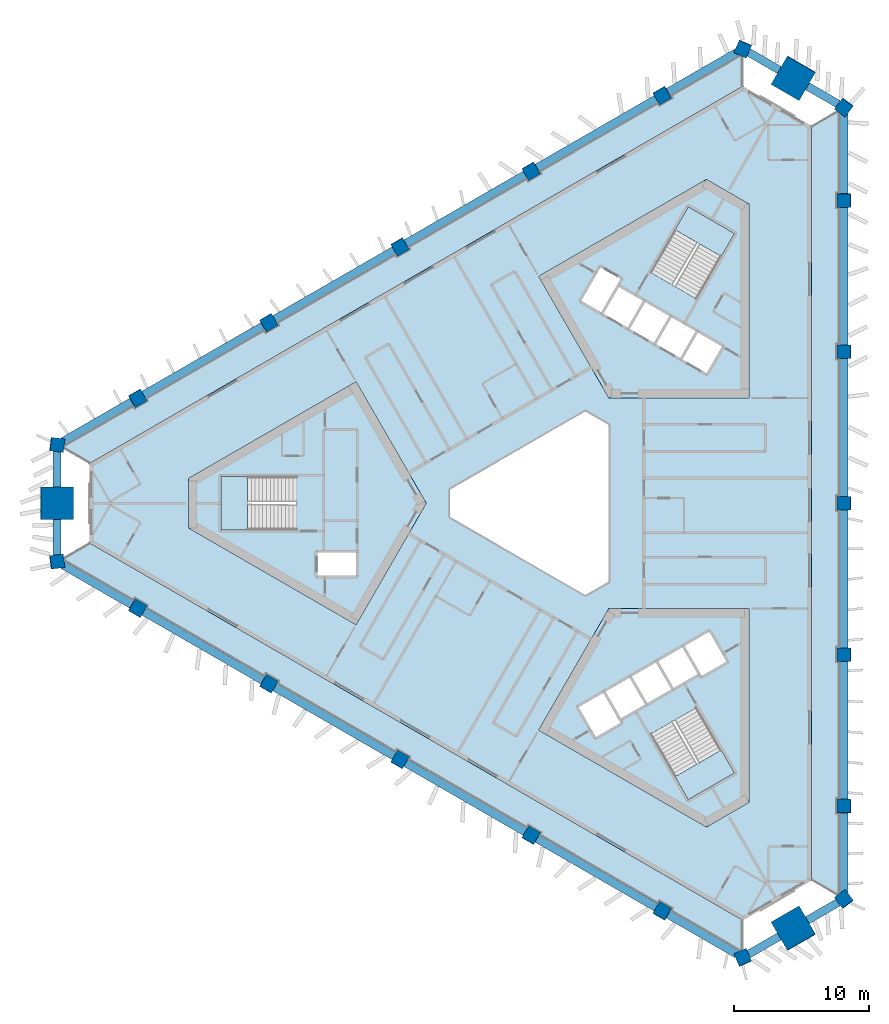
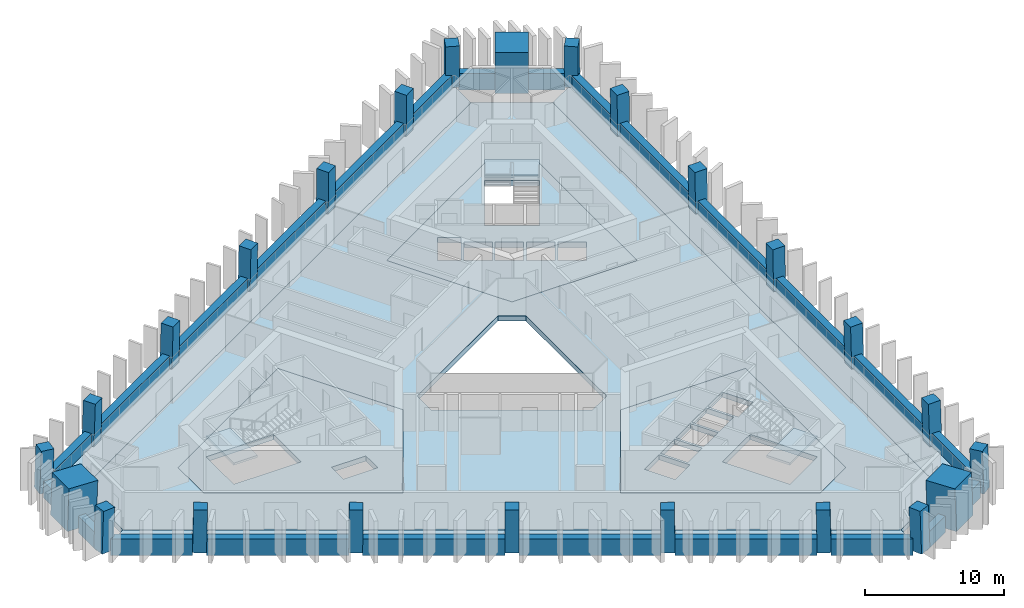
# One storey, part 1 of 10: 24 beams, 24 columns, 10 slabs, 3 elements without a shape of their own.
"""IFC4 building model written with IfcOpenShell, lengths in metres."""

from ifc_helpers import new_model, si_unit, direction, frame, origin, origin_2d, place, context, subcontext, project, spatial, polyline, rectangle, outline, extrude, material, layer, layer_set, material_profile, profile_set, type_object, element, aggregate, save


model = new_model("IFC4")

# Units and contexts
model_context = context("Model", 3, precision=1e-05, world=origin(), true_north=direction((0.0, 1.0)))
body_context = subcontext(model_context, "Body", "Model", "MODEL_VIEW")
ifc_project = project(units=[si_unit("LENGTHUNIT", "METRE"), si_unit("AREAUNIT", "SQUARE_METRE"), si_unit("VOLUMEUNIT", "CUBIC_METRE"), si_unit("PLANEANGLEUNIT", "RADIAN"), si_unit("MASSUNIT", "GRAM", prefix="KILO")], contexts=[model_context])

# Site, building, storey
site_placement = place(None, origin())
site = spatial("IfcSite", under=ifc_project, at=site_placement, CompositionType="ELEMENT")
building_placement = place(site_placement, origin())
building = spatial("IfcBuilding", under=site, at=building_placement, Name="Jabali Bay Hotel Tower and Convention Centre", CompositionType="ELEMENT")
storey_placement = place(building_placement, frame((0.0, 0.0, 136.39990234375)))
storey = spatial("IfcBuildingStorey", under=building, at=storey_placement, Name="L33", CompositionType="ELEMENT", Elevation=136.39990234375)

# Columns
ifc_material_1 = material(Name="Concrete C60", Category="concrete")
ifc_material_profile_1 = material_profile(ifc_material_1, rectangle(XDim=1.0, YDim=1.0, at=origin_2d()), Name="Frame column 1000")
ifc_profile_set_1 = profile_set([ifc_material_profile_1], Name="Concrete C60")
column_type_1 = type_object("IfcColumnType", Name="Frame column 1000", PredefinedType="COLUMN", material=ifc_profile_set_1)
column_1_placement = place(storey_placement, frame((83.457275390625, 110.1728515625, 0.0), z_axis=(-0.008375917711, -0.028095597993, 0.999570148302), x_axis=(0.866174264871, 0.499288288791, 0.021291959796)))
element("IfcColumn", 1, at=column_1_placement, inside=storey, type_object=column_type_1, Name="FC3 F1.1 L33", PredefinedType="COLUMN", context=body_context, shape_type="SweptSolid", body=[
    extrude(rectangle(XDim=1.0, YDim=1.0, at=origin_2d()), origin(), (0.0, 0.0, 1.0), 3.701904296875),
])
column_2_placement = place(storey_placement, frame((73.753173828125, 104.5703125, 0.0), z_axis=(0.000857522362, -0.02282328747, 0.99973914708), x_axis=(0.866059992301, 0.499826257693, 0.01066779528)))
element("IfcColumn", 2, at=column_2_placement, inside=storey, type_object=column_type_1, Name="FC3 F1.2 L33", PredefinedType="COLUMN", context=body_context, shape_type="SweptSolid", body=[
    extrude(rectangle(XDim=1.0, YDim=1.0, at=origin_2d()), origin(), (0.0, 0.0, 1.0), 3.701171875),
])
column_3_placement = place(storey_placement, frame((64.049072265625, 98.967529296875, 0.0), z_axis=(0.010092954999, -0.017481261926, 0.999796248113), x_axis=(-0.499892852155, 0.865851993187, 0.020185694416)))
element("IfcColumn", 3, at=column_3_placement, inside=storey, type_object=column_type_1, Name="FC3 F1.3 L33", PredefinedType="COLUMN", context=body_context, shape_type="SweptSolid", body=[
    extrude(rectangle(XDim=1.0, YDim=1.0, at=origin_2d()), origin(), (0.0, 0.0, 1.0), 3.700927734375),
])
column_4_placement = place(storey_placement, frame((54.344970703125, 93.364990234375, 0.0), z_axis=(0.019327242333, -0.012137244332, 0.999739538582), x_axis=(-0.500203419635, 0.86567275519, 0.02017969048)))
element("IfcColumn", 4, at=column_4_placement, inside=storey, type_object=column_type_1, Name="FC3 F1.4 L33", PredefinedType="COLUMN", context=body_context, shape_type="SweptSolid", body=[
    extrude(rectangle(XDim=1.0, YDim=1.0, at=origin_2d()), origin(), (0.0, 0.0, 1.0), 3.701171875),
])
for number, where, z_axis, x_axis, name in (
    (5, (44.640869140625, 87.76220703125, 0.0), (0.028557232129, -0.006793059837, 0.999569076568), (-0.500403981312, 0.865556860335, 0.020178627641), "FC3 F1.5 L33"),
    (6, (44.640869140625, 72.23779296875, 0.0), (0.028557232129, 0.006793059837, 0.999569076568), (-0.865320946227, 0.500764591265, 0.021318633994), "FC3 F2.1 L33"),
):
    element("IfcColumn", number, at=place(storey_placement, frame(where, z_axis=z_axis, x_axis=x_axis)), inside=storey, type_object=column_type_1, Name=name, PredefinedType="COLUMN", context=body_context, shape_type="SweptSolid", body=[
        extrude(rectangle(XDim=1.0, YDim=1.0, at=origin_2d()), origin(), (0.0, 0.0, 1.0), 3.701904296875),
    ])
column_5_placement = place(storey_placement, frame((54.344970703125, 66.635009765625, 0.0), z_axis=(0.019327242333, 0.012137244332, 0.999739538582), x_axis=(-0.86569220667, 0.500463153711, 0.010659976001)))
element("IfcColumn", 7, at=column_5_placement, inside=storey, type_object=column_type_1, Name="FC3 F2.2 L33", PredefinedType="COLUMN", context=body_context, shape_type="SweptSolid", body=[
    extrude(rectangle(XDim=1.0, YDim=1.0, at=origin_2d()), origin(), (0.0, 0.0, 1.0), 3.701171875),
])
column_6_placement = place(storey_placement, frame((64.049072265625, 61.032470703125, 0.0), z_axis=(0.010092954999, 0.017481261926, 0.999796248113), x_axis=(-0.866028445621, 0.499994731348, 2.47319e-07)))
element("IfcColumn", 8, at=column_6_placement, inside=storey, type_object=column_type_1, Name="FC3 F2.3 L33", PredefinedType="COLUMN", context=body_context, shape_type="SweptSolid", body=[
    extrude(rectangle(XDim=1.0, YDim=1.0, at=origin_2d()), origin(), (0.0, 0.0, 1.0), 3.700927734375),
])
column_7_placement = place(storey_placement, frame((73.753173828125, 55.4296875, 0.0), z_axis=(0.000857522362, 0.02282328747, 0.99973914708), x_axis=(-0.499939350713, -0.86582493015, 0.020194948363)))
element("IfcColumn", 9, at=column_7_placement, inside=storey, type_object=column_type_1, Name="FC3 F2.4 L33", PredefinedType="COLUMN", context=body_context, shape_type="SweptSolid", body=[
    extrude(rectangle(XDim=1.0, YDim=1.0, at=origin_2d()), origin(), (0.0, 0.0, 1.0), 3.701171875),
])
for number, where, z_axis, x_axis, name in (
    (10, (83.457275390625, 49.8271484375, 0.0), (-0.008375917711, 0.028095597993, 0.999570148302), (-0.499671879215, -0.865980278095, 0.020153686316), "FC3 F2.5 L33"),
    (11, (96.90185546875, 57.58935546875, 0.0), (-0.020181329236, 0.021302514194, 0.999569365697), (0.000228295571, -0.999772858975, 0.021311460273), "FC3 F0.1 L33"),
):
    element("IfcColumn", number, at=place(storey_placement, frame(where, z_axis=z_axis, x_axis=x_axis)), inside=storey, type_object=column_type_1, Name=name, PredefinedType="COLUMN", context=body_context, shape_type="SweptSolid", body=[
        extrude(rectangle(XDim=1.0, YDim=1.0, at=origin_2d()), origin(), (0.0, 0.0, 1.0), 3.701904296875),
    ])
column_8_placement = place(storey_placement, frame((96.90185546875, 68.794677734375, 0.0), z_axis=(-0.020184757346, 0.010686048007, 0.999739157955), x_axis=(-0.001012892672, -0.999942584695, 0.010667772075)))
element("IfcColumn", 12, at=column_8_placement, inside=storey, type_object=column_type_1, Name="FC3 F0.2 L33", PredefinedType="COLUMN", context=body_context, shape_type="SweptSolid", body=[
    extrude(rectangle(XDim=1.0, YDim=1.0, at=origin_2d()), origin(), (0.0, 0.0, 1.0), 3.701171875),
])
column_9_placement = place(storey_placement, frame((96.90185546875, 80.0, 0.0), z_axis=(-0.02018590991, 0.0, 0.999796243762), x_axis=(0.0, -1.0, 0.0)))
element("IfcColumn", 13, at=column_9_placement, inside=storey, type_object=column_type_1, Name="FC3 F0.3 L33", PredefinedType="COLUMN", context=body_context, shape_type="SweptSolid", body=[
    extrude(rectangle(XDim=1.0, YDim=1.0, at=origin_2d()), origin(), (0.0, 0.0, 1.0), 3.700927734375),
])
column_10_placement = place(storey_placement, frame((96.90185546875, 91.205322265625, 0.0), z_axis=(-0.020184757346, -0.010686048007, 0.999739157955), x_axis=(0.999795753951, 0.000797302076, 0.020194422252)))
element("IfcColumn", 14, at=column_10_placement, inside=storey, type_object=column_type_1, Name="FC3 F0.4 L33", PredefinedType="COLUMN", context=body_context, shape_type="SweptSolid", body=[
    extrude(rectangle(XDim=1.0, YDim=1.0, at=origin_2d()), origin(), (0.0, 0.0, 1.0), 3.701171875),
])
column_11_placement = place(storey_placement, frame((96.90185546875, 102.41064453125, 0.0), z_axis=(-0.020181329236, -0.021302514194, 0.999569365697), x_axis=(0.999796310171, -0.000658290855, 0.020171881959)))
element("IfcColumn", 15, at=column_11_placement, inside=storey, type_object=column_type_1, Name="FC3 F0.5 L33", PredefinedType="COLUMN", context=body_context, shape_type="SweptSolid", body=[
    extrude(rectangle(XDim=1.0, YDim=1.0, at=origin_2d()), origin(), (0.0, 0.0, 1.0), 3.701904296875),
])
for number, where, z_axis, x_axis, name in (
    (16, (96.90185546875, 50.703125, 0.0), (-0.020177412175, 0.029013272408, 0.999375355941), (-0.801034010654, -0.598617624016, 0.001205816001), "FC3 V0 L33"),
    (17, (96.90185546875, 109.296875, 0.0), (-0.020177412175, -0.029013272408, 0.999375355941), (0.598278685742, 0.800509319272, 0.035319172494), "FC3 V1 L33"),
    (18, (89.4208984375, 113.615966796875, 0.0), (-0.01503415113, -0.031980540781, 0.999375414602), (0.918966688841, -0.394333325021, 0.001205644129), "FC3 V2 L33"),
    (19, (38.67724609375, 84.319091796875, 0.0), (0.035211566633, -0.002967266851, 0.999375475436), (-0.992401371605, 0.1178656515, 0.035315801449), "FC3 V3 L33"),
    (20, (38.67724609375, 75.680908203125, 0.0), (0.035211566633, 0.002967266851, 0.999375475436), (-0.117896832913, 0.993025117267, 0.001205514549), "FC3 V4 L33"),
    (21, (89.4208984375, 46.384033203125, 0.0), (-0.01503415113, 0.031980540781, 0.999375414602), (0.394048473033, -0.918410841502, 0.035317518473), "FC3 V5 L33"),
):
    element("IfcColumn", number, at=place(storey_placement, frame(where, z_axis=z_axis, x_axis=x_axis)), inside=storey, type_object=column_type_1, Name=name, PredefinedType="COLUMN", context=body_context, shape_type="SweptSolid", body=[
        extrude(rectangle(XDim=1.0, YDim=1.0, at=origin_2d()), origin(), (0.0, 0.0, 1.0), 3.702392578125),
    ])
ifc_material_2 = material(Name="Concrete C70", Category="concrete")
ifc_material_profile_2 = material_profile(ifc_material_2, rectangle(XDim=2.39990234375, YDim=2.39990234375, at=origin_2d()), Name="Mega column 2400")
ifc_profile_set_2 = profile_set([ifc_material_profile_2], Name="Concrete C70")
column_type_2 = type_object("IfcColumnType", Name="Mega column 2400", PredefinedType="COLUMN", material=ifc_profile_set_2)
for number, where, z_axis, x_axis, name in (
    (22, (93.161376953125, 111.456298828125, 0.0), (-0.017605877014, -0.030464101799, 0.99938079409), (0.500064693923, 0.865272947392, 0.035185627802), "MC3 M1 L33"),
    (23, (38.67724609375, 80.0, 0.0), (0.035211721647, 0.0, 0.999379875052), (0.0, 1.0, 0.0), "MC3 M0 L33"),
    (24, (93.161376953125, 48.543701171875, 0.0), (-0.017605877014, 0.030464101799, 0.99938079409), (-0.865809063816, -0.500374524745, 1.32647e-07), "MC3 M2 L33"),
):
    element("IfcColumn", number, at=place(storey_placement, frame(where, z_axis=z_axis, x_axis=x_axis)), inside=storey, type_object=column_type_2, Name=name, PredefinedType="COLUMN", context=body_context, shape_type="SweptSolid", body=[
        extrude(rectangle(XDim=2.39990234375, YDim=2.39990234375, at=origin_2d()), origin(), (0.0, 0.0, 1.0), 3.702392578125),
    ])

# Beams
ifc_material_profile_3 = material_profile(ifc_material_1, rectangle(XDim=0.60009765625, YDim=1.449951171875, at=origin_2d()), Name="Spandrel 600x1450")
ifc_profile_set_3 = profile_set([ifc_material_profile_3], Name="Concrete C60")
beam_type = type_object("IfcBeamType", Name="Spandrel 600x1450", PredefinedType="SPANDREL", material=ifc_profile_set_3)
beam_1_placement = place(storey_placement, frame((92.115478515625, 112.044921875, 0.375), z_axis=(-0.866019425648, 0.500010354293, 0.0), x_axis=(-0.500010354293, -0.866019425648, 0.0)))
element("IfcBeam", 25, at=beam_1_placement, inside=storey, type_object=beam_type, Name="Spandrel M1-V2 L33", PredefinedType="SPANDREL", context=body_context, shape_type="SweptSolid", body=[
    extrude(rectangle(XDim=0.60009765625, YDim=1.449951171875, at=origin_2d()), origin(), (0.0, 0.0, 1.0), 2.6181640625),
])
beam_2_placement = place(storey_placement, frame((88.982177734375, 113.35400390625, 0.375), z_axis=(-0.866020422118, -0.500008628401, 0.0), x_axis=(0.500008628401, -0.866020422118, 0.0)))
element("IfcBeam", 26, at=beam_2_placement, inside=storey, type_object=beam_type, Name="Spandrel V2-F1.1 L33", PredefinedType="SPANDREL", context=body_context, shape_type="SweptSolid", body=[
    extrude(rectangle(XDim=0.60009765625, YDim=1.449951171875, at=origin_2d()), origin(), (0.0, 0.0, 1.0), 5.88330078125),
])
beam_3_placement = place(storey_placement, frame((83.02099609375, 109.912353515625, 0.375), z_axis=(-0.866025371046, -0.500000056704, 0.0), x_axis=(0.500000056704, -0.866025371046, 0.0)))
element("IfcBeam", 27, at=beam_3_placement, inside=storey, type_object=beam_type, Name="Spandrel F1.1-F1.2 L33", PredefinedType="SPANDREL", context=body_context, shape_type="SweptSolid", body=[
    extrude(rectangle(XDim=0.60009765625, YDim=1.449951171875, at=origin_2d()), origin(), (0.0, 0.0, 1.0), 10.201171875),
])
for number, where, z_axis, x_axis, name in (
    (28, (73.320556640625, 104.311767578125, 0.375), (-0.866020991185, -0.500007642768, 0.0), (0.500007642768, -0.866020991185, 0.0), "Spandrel F1.2-F1.3 L33"),
    (29, (63.619873046875, 98.7109375, 0.375), (-0.866031354014, -0.499989693759, 0.0), (0.499989693759, -0.866031354014, 0.0), "Spandrel F1.3-F1.4 L33"),
    (30, (53.919189453125, 93.1103515625, 0.375), (-0.866031354014, -0.499989693759, 0.0), (0.499989693759, -0.866031354014, 0.0), "Spandrel F1.4-F1.5 L33"),
):
    element("IfcBeam", number, at=place(storey_placement, frame(where, z_axis=z_axis, x_axis=x_axis)), inside=storey, type_object=beam_type, Name=name, PredefinedType="SPANDREL", context=body_context, shape_type="SweptSolid", body=[
        extrude(rectangle(XDim=0.60009765625, YDim=1.449951171875, at=origin_2d()), origin(), (0.0, 0.0, 1.0), 10.201416015625),
    ])
beam_4_placement = place(storey_placement, frame((44.218505859375, 87.509765625, 0.375), z_axis=(-0.866020422118, -0.500008628401, 0.0), x_axis=(0.500008628401, -0.866020422118, 0.0)))
element("IfcBeam", 31, at=beam_4_placement, inside=storey, type_object=beam_type, Name="Spandrel F1.5-V3 L33", PredefinedType="SPANDREL", context=body_context, shape_type="SweptSolid", body=[
    extrude(rectangle(XDim=0.60009765625, YDim=1.449951171875, at=origin_2d()), origin(), (0.0, 0.0, 1.0), 5.88330078125),
])
for number, where, z_axis, x_axis, name in (
    (32, (38.6904296875, 83.818115234375, 0.375), (0.0, -1.0, 0.0), (1.0, 0.0, 0.0), "Spandrel V3-M0 L33"),
    (33, (38.6904296875, 78.800048828125, 0.375), (0.0, -1.0, 0.0), (1.0, 0.0, 0.0), "Spandrel M0-V4 L33"),
):
    element("IfcBeam", number, at=place(storey_placement, frame(where, z_axis=z_axis, x_axis=x_axis)), inside=storey, type_object=beam_type, Name=name, PredefinedType="SPANDREL", context=body_context, shape_type="SweptSolid", body=[
        extrude(rectangle(XDim=0.60009765625, YDim=1.449951171875, at=origin_2d()), origin(), (0.0, 0.0, 1.0), 2.6181640625),
    ])
beam_5_placement = place(storey_placement, frame((39.12353515625, 75.431884765625, 0.375), z_axis=(0.866020422118, -0.500008628401, 0.0), x_axis=(0.500008628401, 0.866020422118, 0.0)))
element("IfcBeam", 34, at=beam_5_placement, inside=storey, type_object=beam_type, Name="Spandrel V4-F2.1 L33", PredefinedType="SPANDREL", context=body_context, shape_type="SweptSolid", body=[
    extrude(rectangle(XDim=0.60009765625, YDim=1.449951171875, at=origin_2d()), origin(), (0.0, 0.0, 1.0), 5.88330078125),
])
for number, where, z_axis, x_axis, name in (
    (35, (45.08447265625, 71.990234375, 0.375), (0.866031354014, -0.499989693759, 0.0), (0.499989693759, 0.866031354014, 0.0), "Spandrel F2.1-F2.2 L33"),
    (36, (54.78515625, 66.3896484375, 0.375), (0.866031354014, -0.499989693759, 0.0), (0.499989693759, 0.866031354014, 0.0), "Spandrel F2.2-F2.3 L33"),
    (37, (64.48583984375, 60.7890625, 0.375), (0.866020991185, -0.500007642768, 0.0), (0.500007642768, 0.866020991185, 0.0), "Spandrel F2.3-F2.4 L33"),
):
    element("IfcBeam", number, at=place(storey_placement, frame(where, z_axis=z_axis, x_axis=x_axis)), inside=storey, type_object=beam_type, Name=name, PredefinedType="SPANDREL", context=body_context, shape_type="SweptSolid", body=[
        extrude(rectangle(XDim=0.60009765625, YDim=1.449951171875, at=origin_2d()), origin(), (0.0, 0.0, 1.0), 10.201416015625),
    ])
beam_6_placement = place(storey_placement, frame((74.1865234375, 55.188232421875, 0.375), z_axis=(0.866025371046, -0.500000056704, 0.0), x_axis=(0.500000056704, 0.866025371046, 0.0)))
element("IfcBeam", 38, at=beam_6_placement, inside=storey, type_object=beam_type, Name="Spandrel F2.4-F2.5 L33", PredefinedType="SPANDREL", context=body_context, shape_type="SweptSolid", body=[
    extrude(rectangle(XDim=0.60009765625, YDim=1.449951171875, at=origin_2d()), origin(), (0.0, 0.0, 1.0), 10.201171875),
])
beam_7_placement = place(storey_placement, frame((83.88720703125, 49.587646484375, 0.375), z_axis=(0.866020422118, -0.500008628401, 0.0), x_axis=(0.500008628401, 0.866020422118, 0.0)))
element("IfcBeam", 39, at=beam_7_placement, inside=storey, type_object=beam_type, Name="Spandrel F2.5-V5 L33", PredefinedType="SPANDREL", context=body_context, shape_type="SweptSolid", body=[
    extrude(rectangle(XDim=0.60009765625, YDim=1.449951171875, at=origin_2d()), origin(), (0.0, 0.0, 1.0), 5.88330078125),
])
for number, where, z_axis, x_axis, name in (
    (40, (89.84814453125, 46.64599609375, 0.375), (0.866019425648, 0.500010354293, 0.0), (-0.500010354293, 0.866019425648, 0.0), "Spandrel V5-M2 L33"),
    (41, (94.194091796875, 49.155029296875, 0.375), (0.866019425648, 0.500010354293, 0.0), (-0.500010354293, 0.866019425648, 0.0), "Spandrel M2-V0 L33"),
):
    element("IfcBeam", number, at=place(storey_placement, frame(where, z_axis=z_axis, x_axis=x_axis)), inside=storey, type_object=beam_type, Name=name, PredefinedType="SPANDREL", context=body_context, shape_type="SweptSolid", body=[
        extrude(rectangle(XDim=0.60009765625, YDim=1.449951171875, at=origin_2d()), origin(), (0.0, 0.0, 1.0), 2.6181640625),
    ])
beam_8_placement = place(storey_placement, frame((96.894287109375, 51.214111328125, 0.375), z_axis=(0.0, 1.0, 0.0), x_axis=(-1.0, 0.0, 0.0)))
element("IfcBeam", 42, at=beam_8_placement, inside=storey, type_object=beam_type, Name="Spandrel V0-F0.1 L33", PredefinedType="SPANDREL", context=body_context, shape_type="SweptSolid", body=[
    extrude(rectangle(XDim=0.60009765625, YDim=1.449951171875, at=origin_2d()), origin(), (0.0, 0.0, 1.0), 5.88330078125),
])
beam_9_placement = place(storey_placement, frame((96.894287109375, 58.097412109375, 0.375), z_axis=(0.0, 1.0, 0.0), x_axis=(-1.0, 0.0, 0.0)))
element("IfcBeam", 43, at=beam_9_placement, inside=storey, type_object=beam_type, Name="Spandrel F0.1-F0.2 L33", PredefinedType="SPANDREL", context=body_context, shape_type="SweptSolid", body=[
    extrude(rectangle(XDim=0.60009765625, YDim=1.449951171875, at=origin_2d()), origin(), (0.0, 0.0, 1.0), 10.201171875),
])
for number, where, z_axis, x_axis, name in (
    (44, (96.894287109375, 69.298583984375, 0.375), (0.0, 1.0, 0.0), (-1.0, 0.0, 0.0), "Spandrel F0.2-F0.3 L33"),
    (45, (96.894287109375, 80.5, 0.375), (0.0, 1.0, 0.0), (-1.0, 0.0, 0.0), "Spandrel F0.3-F0.4 L33"),
):
    element("IfcBeam", number, at=place(storey_placement, frame(where, z_axis=z_axis, x_axis=x_axis)), inside=storey, type_object=beam_type, Name=name, PredefinedType="SPANDREL", context=body_context, shape_type="SweptSolid", body=[
        extrude(rectangle(XDim=0.60009765625, YDim=1.449951171875, at=origin_2d()), origin(), (0.0, 0.0, 1.0), 10.201416015625),
    ])
beam_10_placement = place(storey_placement, frame((96.894287109375, 91.701416015625, 0.375), z_axis=(0.0, 1.0, 0.0), x_axis=(-1.0, 0.0, 0.0)))
element("IfcBeam", 46, at=beam_10_placement, inside=storey, type_object=beam_type, Name="Spandrel F0.4-F0.5 L33", PredefinedType="SPANDREL", context=body_context, shape_type="SweptSolid", body=[
    extrude(rectangle(XDim=0.60009765625, YDim=1.449951171875, at=origin_2d()), origin(), (0.0, 0.0, 1.0), 10.201171875),
])
beam_11_placement = place(storey_placement, frame((96.894287109375, 102.902587890625, 0.375), z_axis=(0.0, 1.0, 0.0), x_axis=(-1.0, 0.0, 0.0)))
element("IfcBeam", 47, at=beam_11_placement, inside=storey, type_object=beam_type, Name="Spandrel F0.5-V1 L33", PredefinedType="SPANDREL", context=body_context, shape_type="SweptSolid", body=[
    extrude(rectangle(XDim=0.60009765625, YDim=1.449951171875, at=origin_2d()), origin(), (0.0, 0.0, 1.0), 5.88330078125),
])
beam_12_placement = place(storey_placement, frame((96.46142578125, 109.535888671875, 0.375), z_axis=(-0.866019425648, 0.500010354293, 0.0), x_axis=(-0.500010354293, -0.866019425648, 0.0)))
element("IfcBeam", 48, at=beam_12_placement, inside=storey, type_object=beam_type, Name="Spandrel V1-M1 L33", PredefinedType="SPANDREL", context=body_context, shape_type="SweptSolid", body=[
    extrude(rectangle(XDim=0.60009765625, YDim=1.449951171875, at=origin_2d()), origin(), (0.0, 0.0, 1.0), 2.6181640625),
])

# Slabs
ifc_material_3 = material(Name="Concrete C40", Category="concrete")
ifc_layer_1 = layer(ifc_material_3, 0.449951171875)
ifc_layer_set_1 = layer_set([ifc_layer_1], Name="Concrete C40")
slab_type_1 = type_object("IfcSlabType", Name="Core floor slab 450", PredefinedType="FLOOR", material=ifc_layer_set_1)
slab_1_placement = place(storey_placement, frame((0.0, 0.0, -0.449951171875)))
element("IfcSlab", 49, at=slab_1_placement, inside=storey, type_object=slab_type_1, Name="Core floor slab 1 L33", PredefinedType="FLOOR", context=body_context, shape_type="SweptSolid", body=[
    extrude(outline(polyline([(66.0, 80.0), (60.81005859375, 88.9892578125), (48.39697265625, 81.82275390625), (48.39697265625, 78.17724609375), (60.81005859375, 71.0107421875), (66.0, 80.0)]), holes=[polyline([(60.800048828125, 76.35009765625), (57.949951171875, 76.35009765625), (57.949951171875, 74.64990234375), (60.800048828125, 74.64990234375), (60.800048828125, 76.35009765625)]), polyline([(50.820068359375, 81.97509765625), (50.820068359375, 78.02490234375), (56.409912109375, 78.02490234375), (56.409912109375, 81.97509765625), (50.820068359375, 81.97509765625)])]), origin(), (0.0, 0.0, 1.0), 0.449951171875),
])
slab_2_placement = place(storey_placement, frame((0.0, 0.0, -0.449951171875)))
element("IfcSlab", 50, at=slab_2_placement, inside=storey, type_object=slab_type_1, Name="Core floor slab 2 L33", PredefinedType="FLOOR", context=body_context, shape_type="SweptSolid", body=[
    extrude(outline(polyline([(79.5, 87.794189453125), (89.8798828125, 87.794189453125), (89.8798828125, 102.127685546875), (86.72314453125, 103.9501953125), (74.31005859375, 96.78369140625), (79.5, 87.794189453125)]), holes=[polyline([(84.957763671875, 90.6474609375), (86.733154296875, 89.62255859375), (87.873291015625, 91.59716796875), (86.097900390625, 92.6220703125), (84.957763671875, 90.6474609375)]), polyline([(84.1494140625, 93.7470703125), (83.00927734375, 91.7724609375), (84.78466796875, 90.74755859375), (85.924560546875, 92.72216796875), (84.1494140625, 93.7470703125)]), polyline([(82.20068359375, 94.8720703125), (81.060791015625, 92.8974609375), (82.836181640625, 91.87255859375), (83.97607421875, 93.84716796875), (82.20068359375, 94.8720703125)]), polyline([(79.1123046875, 94.0224609375), (80.887451171875, 92.99755859375), (82.027587890625, 94.97216796875), (80.252197265625, 95.9970703125), (79.1123046875, 94.0224609375)]), polyline([(78.891845703125, 97.440673828125), (77.466796875, 94.97265625), (78.93896484375, 94.12255859375), (80.364013671875, 96.5908203125), (78.891845703125, 97.440673828125)]), polyline([(82.584716796875, 97.0869140625), (86.00537109375, 95.11181640625), (88.80029296875, 99.952880859375), (85.379638671875, 101.927978515625), (82.584716796875, 97.0869140625)])]), origin(), (0.0, 0.0, 1.0), 0.449951171875),
])
slab_3_placement = place(storey_placement, frame((0.0, 0.0, -0.449951171875)))
element("IfcSlab", 51, at=slab_3_placement, inside=storey, type_object=slab_type_1, Name="Core floor slab 3 L33", PredefinedType="FLOOR", context=body_context, shape_type="SweptSolid", body=[
    extrude(outline(polyline([(79.5, 72.205810546875), (74.31005859375, 63.21630859375), (86.72314453125, 56.0498046875), (89.8798828125, 57.872314453125), (89.8798828125, 72.205810546875), (79.5, 72.205810546875)]), holes=[polyline([(82.584716796875, 62.9130859375), (85.379638671875, 58.072021484375), (88.80029296875, 60.047119140625), (86.00537109375, 64.88818359375), (82.584716796875, 62.9130859375)]), polyline([(80.365478515625, 63.756591796875), (79.090576171875, 65.96484375), (77.27197265625, 64.9150390625), (78.546875, 62.70654296875), (80.365478515625, 63.756591796875)]), polyline([(82.17919921875, 65.115478515625), (81.0390625, 67.08984375), (79.263671875, 66.06494140625), (80.40380859375, 64.09033203125), (82.17919921875, 65.115478515625)]), polyline([(82.98779296875, 68.21484375), (81.21240234375, 67.18994140625), (82.352294921875, 65.21533203125), (84.127685546875, 66.240478515625), (82.98779296875, 68.21484375)]), polyline([(86.076171875, 67.365478515625), (84.936279296875, 69.33984375), (83.160888671875, 68.31494140625), (84.30078125, 66.34033203125), (86.076171875, 67.365478515625)]), polyline([(88.203125, 68.281494140625), (86.927978515625, 70.489990234375), (85.109375, 69.43994140625), (86.384521484375, 67.231689453125), (88.203125, 68.281494140625)])]), origin(), (0.0, 0.0, 1.0), 0.449951171875),
])
ifc_layer_2 = layer(ifc_material_3, 0.199951171875)
ifc_layer_set_2 = layer_set([ifc_layer_2], Name="Concrete C40")
slab_type_2 = type_object("IfcSlabType", Name="Loggia slab 200", PredefinedType="FLOOR", material=ifc_layer_set_2)
slab_4_placement = place(storey_placement, frame((0.0, 0.0, -0.199951171875)))
element("IfcSlab", 52, at=slab_4_placement, inside=storey, type_object=slab_type_2, Name="Loggia slab east face L33", PredefinedType="FLOOR", context=body_context, shape_type="SweptSolid", body=[
    extrude(outline(polyline([(94.501953125, 107.9111328125), (96.4306640625, 109.024658203125), (96.601806640625, 108.896728515625), (96.601806640625, 102.91064453125), (96.40185546875, 102.91064453125), (96.40185546875, 101.91064453125), (96.601806640625, 101.91064453125), (96.601806640625, 91.705322265625), (96.40185546875, 91.705322265625), (96.40185546875, 90.705322265625), (96.601806640625, 90.705322265625), (96.601806640625, 80.5), (96.40185546875, 80.5), (96.40185546875, 79.5), (96.601806640625, 79.5), (96.601806640625, 69.294677734375), (96.40185546875, 69.294677734375), (96.40185546875, 68.294677734375), (96.601806640625, 68.294677734375), (96.601806640625, 58.08935546875), (96.40185546875, 58.08935546875), (96.40185546875, 57.08935546875), (96.601806640625, 57.08935546875), (96.601806640625, 51.103271484375), (96.4306640625, 50.975341796875), (94.501953125, 52.0888671875), (94.501953125, 107.9111328125)])), origin(), (0.0, 0.0, 1.0), 0.199951171875),
])
slab_5_placement = place(storey_placement, frame((0.0, 0.0, -0.199951171875)))
element("IfcSlab", 53, at=slab_5_placement, inside=storey, type_object=slab_type_2, Name="Loggia slab north-west face L33", PredefinedType="FLOOR", context=body_context, shape_type="SweptSolid", body=[
    extrude(outline(polyline([(41.077392578125, 82.93359375), (39.1484375, 84.047119140625), (39.173583984375, 84.25927734375), (44.35791015625, 87.25244140625), (44.457763671875, 87.079345703125), (45.323974609375, 87.579345703125), (45.223876953125, 87.75244140625), (54.06201171875, 92.855224609375), (54.161865234375, 92.681884765625), (55.028076171875, 93.181884765625), (54.927978515625, 93.355224609375), (63.76611328125, 98.457763671875), (63.865966796875, 98.28466796875), (64.732177734375, 98.78466796875), (64.632080078125, 98.957763671875), (73.47021484375, 104.060546875), (73.570068359375, 103.88720703125), (74.436279296875, 104.38720703125), (74.336181640625, 104.560546875), (83.17431640625, 109.6630859375), (83.274169921875, 109.489990234375), (84.140380859375, 109.989990234375), (84.040283203125, 110.1630859375), (89.224365234375, 113.15625), (89.4208984375, 113.072021484375), (89.4208984375, 110.8447265625), (41.077392578125, 82.93359375)])), origin(), (0.0, 0.0, 1.0), 0.199951171875),
])
slab_6_placement = place(storey_placement, frame((0.0, 0.0, -0.199951171875)))
element("IfcSlab", 54, at=slab_6_placement, inside=storey, type_object=slab_type_2, Name="Loggia slab south-west face L33", PredefinedType="FLOOR", context=body_context, shape_type="SweptSolid", body=[
    extrude(outline(polyline([(89.4208984375, 49.1552734375), (89.4208984375, 46.927978515625), (89.224365234375, 46.84375), (84.040283203125, 49.8369140625), (84.140380859375, 50.010009765625), (83.274169921875, 50.510009765625), (83.17431640625, 50.3369140625), (74.336181640625, 55.439453125), (74.436279296875, 55.61279296875), (73.570068359375, 56.11279296875), (73.47021484375, 55.939453125), (64.632080078125, 61.042236328125), (64.732177734375, 61.21533203125), (63.865966796875, 61.71533203125), (63.76611328125, 61.542236328125), (54.927978515625, 66.644775390625), (55.028076171875, 66.818115234375), (54.161865234375, 67.318115234375), (54.06201171875, 67.144775390625), (45.223876953125, 72.24755859375), (45.323974609375, 72.420654296875), (44.457763671875, 72.920654296875), (44.35791015625, 72.74755859375), (39.173583984375, 75.74072265625), (39.1484375, 75.952880859375), (41.077392578125, 77.06640625), (89.4208984375, 49.1552734375)])), origin(), (0.0, 0.0, 1.0), 0.199951171875),
])
ifc_layer_3 = layer(ifc_material_3, 0.449951171875)
ifc_layer_set_3 = layer_set([ifc_layer_3], Name="Concrete C40")
slab_type_3 = type_object("IfcSlabType", Name="Post-tensioned flat slab 450", PredefinedType="FLOOR", material=ifc_layer_set_3)
slab_7_placement = place(storey_placement, frame((0.0, 0.0, -0.449951171875)))
element("IfcSlab", 55, at=slab_7_placement, inside=storey, type_object=slab_type_3, Name="Floor slab L33", PredefinedType="FLOOR", context=body_context, shape_type="SweptSolid", body=[
    extrude(outline(polyline([(89.4208984375, 110.8447265625), (94.501953125, 107.9111328125), (94.501953125, 52.0888671875), (89.4208984375, 49.1552734375), (41.077392578125, 77.06640625), (41.077392578125, 82.93359375), (89.4208984375, 110.8447265625)]), holes=[polyline([(67.73193359375, 79.0), (77.76806640625, 73.205810546875), (79.5, 74.205810546875), (79.5, 85.794189453125), (77.76806640625, 86.794189453125), (67.73193359375, 81.0), (67.73193359375, 79.0)]), polyline([(48.39697265625, 78.17724609375), (60.81005859375, 71.0107421875), (66.0, 80.0), (60.81005859375, 88.9892578125), (48.39697265625, 81.82275390625), (48.39697265625, 78.17724609375)]), polyline([(89.8798828125, 102.127685546875), (86.72314453125, 103.9501953125), (74.31005859375, 96.78369140625), (79.5, 87.794189453125), (89.8798828125, 87.794189453125), (89.8798828125, 102.127685546875)]), polyline([(74.31005859375, 63.21630859375), (86.72314453125, 56.0498046875), (89.8798828125, 57.872314453125), (89.8798828125, 72.205810546875), (79.5, 72.205810546875), (74.31005859375, 63.21630859375)])]), origin(), (0.0, 0.0, 1.0), 0.449951171875),
])

# Stair, slab
stair_type = type_object("IfcStairType", Name="Exit stair 1900", PredefinedType="HALF_TURN_STAIR", material=ifc_material_3)
stair_1_placement = place(storey_placement, origin())
stair_1 = element("IfcStair", 56, at=stair_1_placement, inside=storey, type_object=stair_type, Name="L33 Exit Stair 1", PredefinedType="HALF_TURN_STAIR")
ifc_layer_4 = layer(ifc_material_3, 0.199951171875)
ifc_layer_set_4 = layer_set([ifc_layer_4], Name="Concrete C40")
slab_type_4 = type_object("IfcSlabType", Name="Stair landing 200", PredefinedType="LANDING", material=ifc_layer_set_4)
slab_8_placement = place(storey_placement, frame((0.0, 0.0, 1.650146484375)))
slab_8 = element("IfcSlab", 57, at=slab_8_placement, type_object=slab_type_4, Name="ST1 landing 1", PredefinedType="LANDING", context=body_context, shape_type="SweptSolid", body=[
    extrude(outline(polyline([(52.782958984375, 81.97509765625), (50.820068359375, 81.97509765625), (50.820068359375, 78.02490234375), (52.782958984375, 78.02490234375), (52.782958984375, 81.97509765625)])), origin(), (0.0, 0.0, 1.0), 0.199951171875),
])
aggregate(stair_1, [slab_8])

stair_2_placement = place(storey_placement, origin())
stair_2 = element("IfcStair", 58, at=stair_2_placement, inside=storey, type_object=stair_type, Name="L33 Exit Stair 2", PredefinedType="HALF_TURN_STAIR")
slab_9_placement = place(storey_placement, frame((0.0, 0.0, 1.650146484375)))
slab_9 = element("IfcSlab", 59, at=slab_9_placement, type_object=slab_type_4, Name="ST2 landing 1", PredefinedType="LANDING", context=body_context, shape_type="SweptSolid", body=[
    extrude(outline(polyline([(87.81884765625, 98.2529296875), (88.80029296875, 99.952880859375), (85.379638671875, 101.927978515625), (84.398193359375, 100.22802734375), (87.81884765625, 98.2529296875)])), origin(), (0.0, 0.0, 1.0), 0.199951171875),
])
aggregate(stair_2, [slab_9])

stair_3_placement = place(storey_placement, origin())
stair_3 = element("IfcStair", 60, at=stair_3_placement, inside=storey, type_object=stair_type, Name="L33 Exit Stair 3", PredefinedType="HALF_TURN_STAIR")
slab_10_placement = place(storey_placement, frame((0.0, 0.0, 1.650146484375)))
slab_10 = element("IfcSlab", 61, at=slab_10_placement, type_object=slab_type_4, Name="ST3 landing 1", PredefinedType="LANDING", context=body_context, shape_type="SweptSolid", body=[
    extrude(outline(polyline([(84.398193359375, 59.77197265625), (85.379638671875, 58.072021484375), (88.80029296875, 60.047119140625), (87.81884765625, 61.7470703125), (84.398193359375, 59.77197265625)])), origin(), (0.0, 0.0, 1.0), 0.199951171875),
])
aggregate(stair_3, [slab_10])

save(model, "model.ifc")
